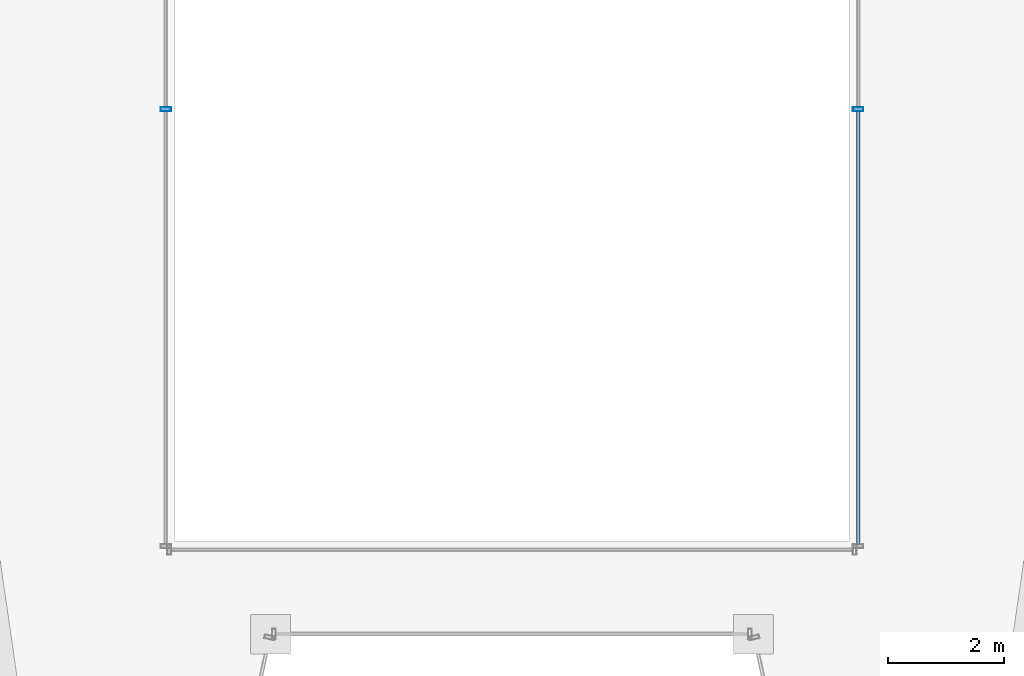
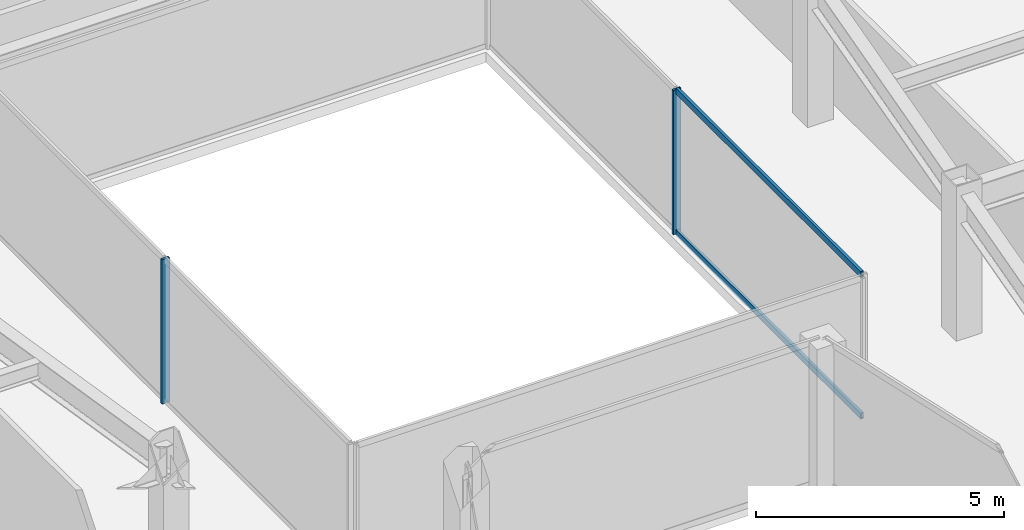
# One storey, part 11 of 38: 4 members, 2 elements without a shape of their own.
"""IFC4 building model written with IfcOpenShell, lengths in metres."""

from ifc_helpers import new_model, si_unit, direction, frame, origin, origin_2d, place, context, subcontext, project, spatial, hollow_rectangle, extrude, material, material_profile, profile_set, type_object, element, aggregate, save


model = new_model("IFC4")

# Units and contexts
model_context = context("Model", 3, precision=1e-05, world=origin(), true_north=direction((0.0, 1.0)))
body_context = subcontext(model_context, "Body", "Model", "MODEL_VIEW")
ifc_project = project(units=[si_unit("LENGTHUNIT", "METRE"), si_unit("AREAUNIT", "SQUARE_METRE"), si_unit("VOLUMEUNIT", "CUBIC_METRE"), si_unit("PLANEANGLEUNIT", "RADIAN"), si_unit("MASSUNIT", "GRAM", prefix="KILO")], contexts=[model_context])

# Site, building, storey
site_placement = place(None, origin())
site = spatial("IfcSite", under=ifc_project, at=site_placement, CompositionType="ELEMENT")
building_placement = place(site_placement, origin())
building = spatial("IfcBuilding", under=site, at=building_placement, Name="Saevonmaru Cultural Tower", CompositionType="ELEMENT")
storey_placement = place(building_placement, frame((0.0, 0.0, 137.199951171875)))
storey = spatial("IfcBuildingStorey", under=building, at=storey_placement, Name="L29", CompositionType="ELEMENT", Elevation=137.199951171875)

# Curtain wall, member
ifc_material = material(Name="Satin Bronze Anodised Aluminium", Category="aluminium")
curtain_wall_type = type_object("IfcCurtainWallType", Name="CW-ATR-GLZ", PredefinedType="NOTDEFINED", material=ifc_material)
curtain_wall_1_placement = place(storey_placement, origin())
curtain_wall_1 = element("IfcCurtainWall", 1, at=curtain_wall_1_placement, inside=storey, type_object=curtain_wall_type, Name="L29 Vertical Atrium Glazed Smoke Screen 2", PredefinedType="NOTDEFINED")
ifc_material_profile_1 = material_profile(ifc_material, hollow_rectangle(XDim=0.06494140625, YDim=0.179931640625, WallThickness=0.00390625, at=origin_2d()), Name="ALU-MULL-180x65x4")
ifc_profile_set_1 = profile_set([ifc_material_profile_1], Name="Satin Bronze Anodised Aluminium")
member_type_1 = type_object("IfcMemberType", Name="ML-CW-INT-180x65", PredefinedType="MULLION", material=ifc_profile_set_1)
member_1_placement = place(storey_placement, frame((35.949951171875, 29.820068359375, 0.0), z_axis=(0.0, 0.0, 1.0), x_axis=(0.0, 1.0, 0.0)))
member_1 = element("IfcMember", 2, at=member_1_placement, type_object=member_type_1, Name="CW-ATR-L29-2 mullion 2", PredefinedType="MULLION", context=body_context, shape_type="SweptSolid", body=[
    extrude(hollow_rectangle(XDim=0.06494140625, YDim=0.179931640625, WallThickness=0.00390625, at=origin_2d()), origin(), (0.0, 0.0, 1.0), 3.550048828125),
])

curtain_wall_2_placement = place(storey_placement, origin())
curtain_wall_2 = element("IfcCurtainWall", 3, at=curtain_wall_2_placement, inside=storey, type_object=curtain_wall_type, Name="L29 Vertical Atrium Glazed Smoke Screen 4", PredefinedType="NOTDEFINED")
member_2_placement = place(storey_placement, frame((24.050048828125, 29.820068359375, 0.0), z_axis=(0.0, 0.0, 1.0), x_axis=(0.0, -1.0, 0.0)))
member_2 = element("IfcMember", 4, at=member_2_placement, type_object=member_type_1, Name="CW-ATR-L29-4 mullion 2", PredefinedType="MULLION", context=body_context, shape_type="SweptSolid", body=[
    extrude(hollow_rectangle(XDim=0.06494140625, YDim=0.179931640625, WallThickness=0.00390625, at=origin_2d()), origin(), (0.0, 0.0, 1.0), 3.550048828125),
])
aggregate(curtain_wall_2, [member_2])

# Member
ifc_material_profile_2 = material_profile(ifc_material, hollow_rectangle(XDim=0.06494140625, YDim=0.14990234375, WallThickness=0.00390625, at=origin_2d()), Name="ALU-TRAN-150x65x4")
ifc_profile_set_2 = profile_set([ifc_material_profile_2], Name="Satin Bronze Anodised Aluminium")
member_type_2 = type_object("IfcMemberType", Name="TR-CW-INT-150x65", PredefinedType="USERDEFINED", material=ifc_profile_set_2)
member_3_placement = place(storey_placement, frame((35.949951171875, 22.342529296875, 0.032470703125), z_axis=(0.0, 1.0, 0.0), x_axis=(-1.0, 0.0, 0.0)))
member_3 = element("IfcMember", 5, at=member_3_placement, type_object=member_type_2, Name="CW-ATR-L29-2 transom 1.1", ObjectType="TRANSOM", PredefinedType="USERDEFINED", context=body_context, shape_type="SweptSolid", body=[
    extrude(hollow_rectangle(XDim=0.06494140625, YDim=0.14990234375, WallThickness=0.00390625, at=origin_2d()), origin(), (0.0, 0.0, 1.0), 7.445068359375),
])

member_4_placement = place(storey_placement, frame((35.949951171875, 22.342529296875, 3.517578125), z_axis=(0.0, 1.0, 0.0), x_axis=(-1.0, 0.0, 0.0)))
member_4 = element("IfcMember", 6, at=member_4_placement, type_object=member_type_2, Name="CW-ATR-L29-2 transom 1.2", ObjectType="TRANSOM", PredefinedType="USERDEFINED", context=body_context, shape_type="SweptSolid", body=[
    extrude(hollow_rectangle(XDim=0.06494140625, YDim=0.14990234375, WallThickness=0.00390625, at=origin_2d()), origin(), (0.0, 0.0, 1.0), 7.445068359375),
])

aggregate(curtain_wall_1, [member_1, member_3, member_4])

save(model, "model.ifc")
